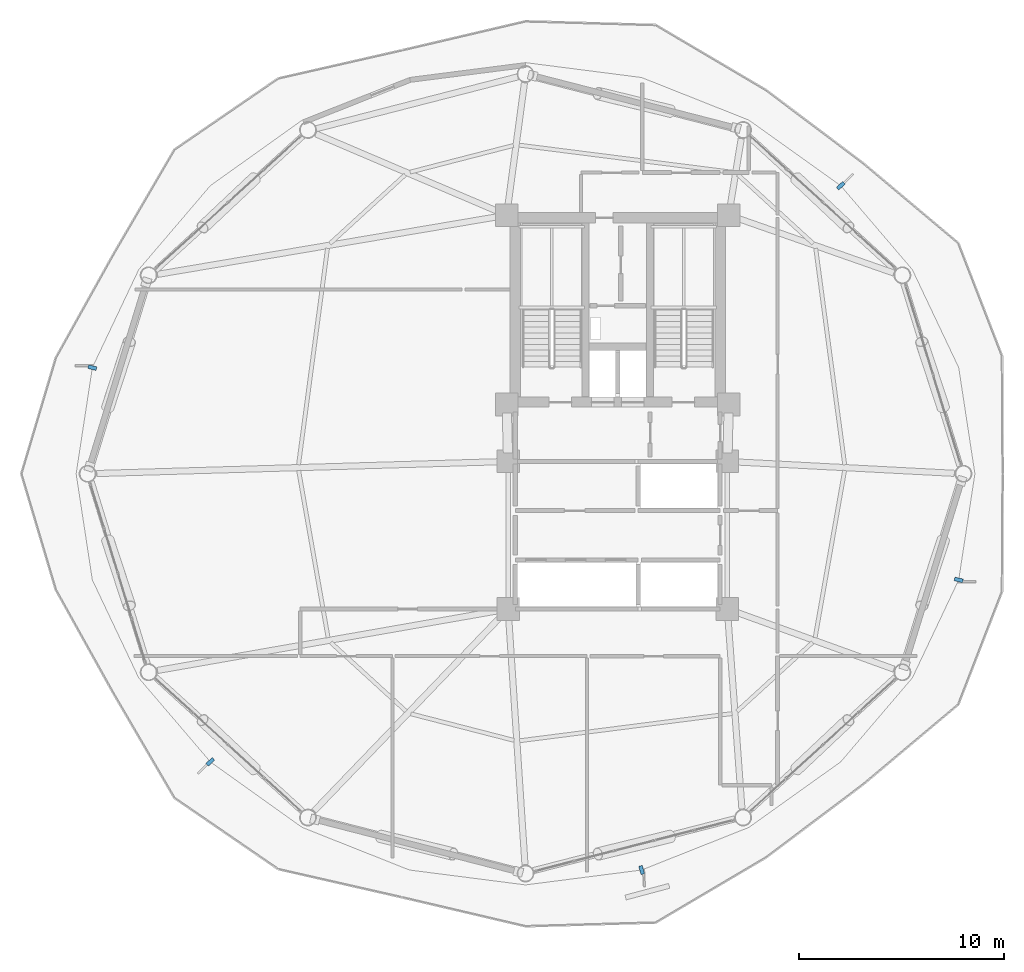
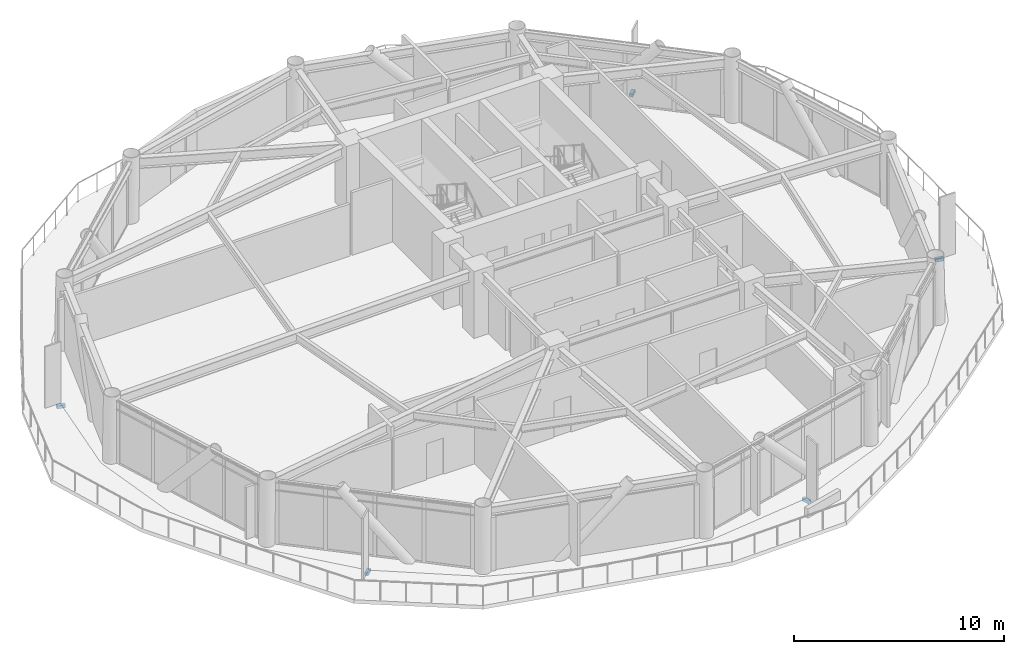
# One storey, part 21 of 23: 5 discrete accessories.
"""IFC4 building model written with IfcOpenShell, lengths in metres."""

from ifc_helpers import new_model, si_unit, direction, frame, origin, origin_2d, place, context, subcontext, project, spatial, rectangle, extrude, source, transform, mapped, material, type_object, type_shapes, element, save


model = new_model("IFC4")

# Units and contexts
model_context = context("Model", 3, precision=1e-05, world=origin(), true_north=direction((0.0, 1.0)))
body_context = subcontext(model_context, "Body", "Model", "MODEL_VIEW")
ifc_project = project(units=[si_unit("LENGTHUNIT", "METRE"), si_unit("AREAUNIT", "SQUARE_METRE"), si_unit("VOLUMEUNIT", "CUBIC_METRE"), si_unit("PLANEANGLEUNIT", "RADIAN"), si_unit("MASSUNIT", "GRAM", prefix="KILO")], contexts=[model_context])

# Site, building, storey
site_placement = place(None, origin())
site = spatial("IfcSite", under=ifc_project, at=site_placement, CompositionType="ELEMENT")
building_placement = place(site_placement, origin())
building = spatial("IfcBuilding", under=site, at=building_placement, Name="Varnakorn Sky Granary", CompositionType="ELEMENT")
storey_placement = place(building_placement, frame((0.0, 0.0, 114.89990234375)))
storey = spatial("IfcBuildingStorey", under=building, at=storey_placement, Name="L28", CompositionType="ELEMENT", Elevation=114.89990234375)

# Discrete accessories
ifc_material = material(Name="Steel S355JR", Category="steel")
discrete_accessory_type = type_object("IfcDiscreteAccessoryType", Name="AC-BRK-01", PredefinedType="BRACKET", material=ifc_material)
shared_shape = source(origin(), body_context, "Body", "SweptSolid", [
    extrude(rectangle(XDim=0.179931640625, YDim=0.419921875, at=origin_2d()), origin(), (0.0, 0.0, 1.0), 0.179931640625),
])
type_shapes(discrete_accessory_type, [shared_shape])
for number, where, z_axis, x_axis, name in (
    (1, (13.885498046875, 14.058349609375, -0.19970703125), (0.0, 0.0, 1.0), (-0.674552417889, 0.738226953938, 0.0), "Facade Solar-Screen Outrigger Bracket L28-02"),
    (2, (-22.642822265625, 5.1796875, -0.19970703125), (0.0, 0.0, 1.0), (-0.237942903348, -0.971279143576, 0.0), "Facade Solar-Screen Outrigger Bracket L28-06"),
    (3, (-16.885498046875, -14.058349609375, -0.19970703125), (0.0, 0.0, 1.0), (0.674552417889, -0.738226953938, 0.0), "Facade Solar-Screen Outrigger Bracket L28-08"),
    (4, (4.167724609375, -19.339111328125, -0.19970703125), (0.0, 0.0, 1.0), (0.959636511672, 0.281243249636, 0.0), "Facade Solar-Screen Outrigger Bracket L28-10"),
    (5, (19.642822265625, -5.1796875, -0.19970703125), (0.0, 0.0, 1.0), (0.237942903348, 0.971279143576, 0.0), "Facade Solar-Screen Outrigger Bracket L28-12"),
):
    element("IfcDiscreteAccessory", number, at=place(storey_placement, frame(where, z_axis=z_axis, x_axis=x_axis)), inside=storey, type_object=discrete_accessory_type, Name=name, PredefinedType="BRACKET", context=body_context, shape_type="MappedRepresentation", body=[
        mapped(shared_shape, transform((0.0, 0.0, 0.0), x_axis=(1.0, 0.0, 0.0), y_axis=(0.0, 1.0, 0.0), z_axis=(0.0, 0.0, 1.0), scale=1.0)),
    ])

save(model, "model.ifc")
